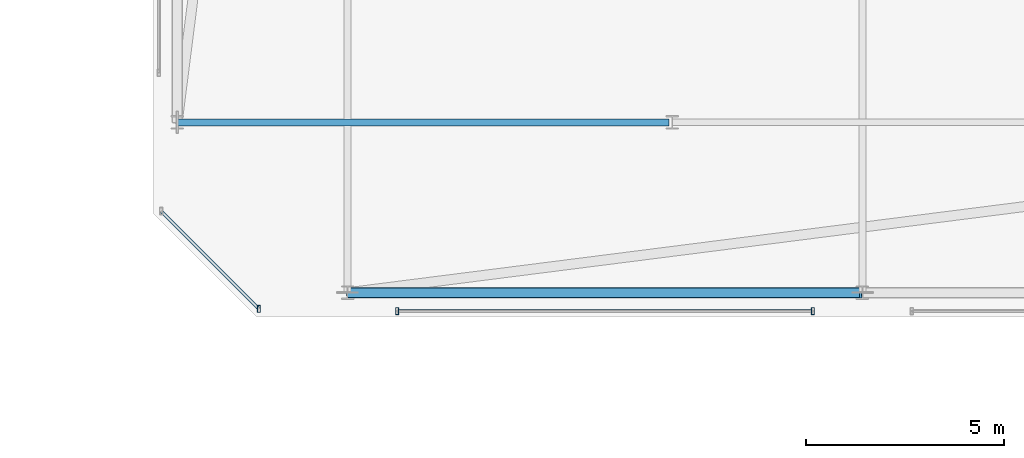
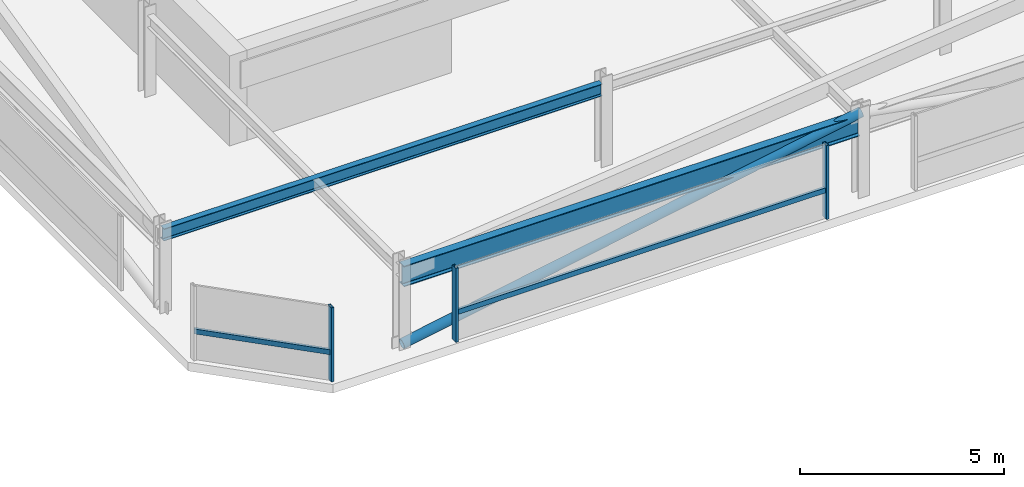
# One storey, part 27 of 42: 6 members, 2 beams, 2 elements without a shape of their own.
"""IFC4 building model written with IfcOpenShell, lengths in metres."""

from ifc_helpers import new_model, si_unit, direction, frame, origin, origin_2d, place, context, subcontext, project, spatial, hollow_rectangle, hollow_circle, i_section, extrude, material, material_profile, profile_set, type_object, element, aggregate, save


model = new_model("IFC4")

# Units and contexts
model_context = context("Model", 3, precision=1e-05, world=origin(), true_north=direction((0.0, 1.0)))
body_context = subcontext(model_context, "Body", "Model", "MODEL_VIEW")
ifc_project = project(units=[si_unit("LENGTHUNIT", "METRE"), si_unit("AREAUNIT", "SQUARE_METRE"), si_unit("VOLUMEUNIT", "CUBIC_METRE"), si_unit("PLANEANGLEUNIT", "RADIAN"), si_unit("MASSUNIT", "GRAM", prefix="KILO")], contexts=[model_context])

# Site, building, storey
site_placement = place(None, origin())
site = spatial("IfcSite", under=ifc_project, at=site_placement, CompositionType="ELEMENT")
building_placement = place(site_placement, origin())
building = spatial("IfcBuilding", under=site, at=building_placement, Name="Thornwick Lancets Civic Towers", CompositionType="ELEMENT")
storey_placement = place(building_placement, frame((0.0, 0.0, 289.5)))
storey = spatial("IfcBuildingStorey", under=building, at=storey_placement, Name="C04", CompositionType="ELEMENT", Elevation=289.5)

# Beams
ifc_material_1 = material(Name="Steel S355JR", Category="steel")
ifc_material_profile_1 = material_profile(ifc_material_1, i_section(OverallWidth=0.230224609375, OverallDepth=0.6171875, WebThickness=0.01318359375, FlangeThickness=0.022216796875, FilletRadius=0.0126953125, at=origin_2d()), Name="UKB 610x229x140")
ifc_profile_set_1 = profile_set([ifc_material_profile_1], Name="Steel S355JR")
beam_type_1 = type_object("IfcBeamType", Name="BM_GIRD_610_140", PredefinedType="BEAM", material=ifc_profile_set_1)
beam_1_placement = place(storey_placement, frame((88.419921875, 9.699951171875, 2.13134765625), z_axis=(-1.0, 0.0, 0.0), x_axis=(0.0, -1.0, 0.0)))
element("IfcBeam", 1, at=beam_1_placement, inside=storey, type_object=beam_type_1, Name="BM-SPINE-C04-B-10-11", PredefinedType="BEAM", context=body_context, shape_type="SweptSolid", body=[
    extrude(i_section(OverallWidth=0.230224609375, OverallDepth=0.6171875, WebThickness=0.01318359375, FlangeThickness=0.022216796875, FilletRadius=0.0126953125, at=origin_2d()), origin(), (0.0, 0.0, 1.0), 12.919921875),
])
ifc_material_profile_2 = material_profile(ifc_material_1, i_section(OverallWidth=0.173095703125, OverallDepth=0.36328125, WebThickness=0.009033203125, FlangeThickness=0.015625, FilletRadius=0.01025390625, at=origin_2d()), Name="UKB 356x171x67")
ifc_profile_set_2 = profile_set([ifc_material_profile_2], Name="Steel S355JR")
beam_type_2 = type_object("IfcBeamType", Name="BM_JOIST_356_67", PredefinedType="JOIST", material=ifc_profile_set_2)
beam_2_placement = place(storey_placement, frame((83.6201171875, 14.0, 2.25830078125), z_axis=(-1.0, 0.0, 0.0), x_axis=(0.0, -1.0, 0.0)))
element("IfcBeam", 2, at=beam_2_placement, inside=storey, type_object=beam_type_2, Name="BM-RADIN-C04-B07", PredefinedType="JOIST", context=body_context, shape_type="SweptSolid", body=[
    extrude(i_section(OverallWidth=0.173095703125, OverallDepth=0.36328125, WebThickness=0.009033203125, FlangeThickness=0.015625, FilletRadius=0.01025390625, at=origin_2d()), origin(), (0.0, 0.0, 1.0), 12.420166015625),
])

# Curtain wall, members
ifc_material_2 = material(Name="Crown ring acoustic-louvre and glazing screen wall", Category="glass")
curtain_wall_type = type_object("IfcCurtainWallType", Name="CW_SYS_07", PredefinedType="NOTDEFINED", material=ifc_material_2)
curtain_wall_1_placement = place(storey_placement, origin())
curtain_wall_1 = element("IfcCurtainWall", 3, at=curtain_wall_1_placement, inside=storey, type_object=curtain_wall_type, Name="C04 Curtain Wall CW-C04-B-E0-S1", PredefinedType="NOTDEFINED")
ifc_material_3 = material(Name="Thermally broken bronze aluminium S355", Category="steel")
ifc_material_profile_3 = material_profile(ifc_material_3, hollow_rectangle(XDim=0.074951171875, YDim=0.179931640625, WallThickness=0.006103515625, at=origin_2d()), Name="RHS 180x75x6")
ifc_profile_set_3 = profile_set([ifc_material_profile_3], Name="Thermally broken bronze aluminium S355")
member_type_1 = type_object("IfcMemberType", Name="CW_MUL_180", PredefinedType="MULLION", material=ifc_profile_set_3)
member_1_placement = place(storey_placement, frame((76.75, 9.2353515625, 0.0), z_axis=(0.0, 0.0, 1.0), x_axis=(1.0, 0.0, 0.0)))
member_1 = element("IfcMember", 4, at=member_1_placement, type_object=member_type_1, Name="CW-C04-B-E0-S1 Mullion 0", PredefinedType="MULLION", context=body_context, shape_type="SweptSolid", body=[
    extrude(hollow_rectangle(XDim=0.074951171875, YDim=0.179931640625, WallThickness=0.006103515625, at=origin_2d()), origin(), (0.0, 0.0, 1.0), 2.219970703125),
])
member_2_placement = place(storey_placement, frame((87.25, 9.2353515625, 0.0), z_axis=(0.0, 0.0, 1.0), x_axis=(1.0, 0.0, 0.0)))
member_2 = element("IfcMember", 5, at=member_2_placement, type_object=member_type_1, Name="CW-C04-B-E0-S1 Mullion 1", PredefinedType="MULLION", context=body_context, shape_type="SweptSolid", body=[
    extrude(hollow_rectangle(XDim=0.074951171875, YDim=0.179931640625, WallThickness=0.006103515625, at=origin_2d()), origin(), (0.0, 0.0, 1.0), 2.219970703125),
])

# Curtain wall, member
curtain_wall_2_placement = place(storey_placement, origin())
curtain_wall_2 = element("IfcCurtainWall", 6, at=curtain_wall_2_placement, inside=storey, type_object=curtain_wall_type, Name="C04 Curtain Wall CW-C04-B-E7", PredefinedType="NOTDEFINED")
member_3_placement = place(storey_placement, frame((73.261962890625, 9.2919921875, 0.0), z_axis=(0.0, 0.0, 1.0), x_axis=(1.0, 0.0, 0.0)))
member_3 = element("IfcMember", 7, at=member_3_placement, type_object=member_type_1, Name="CW-C04-B-E7 Mullion 1", PredefinedType="MULLION", context=body_context, shape_type="SweptSolid", body=[
    extrude(hollow_rectangle(XDim=0.074951171875, YDim=0.179931640625, WallThickness=0.006103515625, at=origin_2d()), origin(), (0.0, 0.0, 1.0), 2.219970703125),
])

# Member
ifc_material_profile_4 = material_profile(ifc_material_3, hollow_rectangle(XDim=0.074951171875, YDim=0.14990234375, WallThickness=0.0048828125, at=origin_2d()), Name="RHS 150x75x5")
ifc_profile_set_4 = profile_set([ifc_material_profile_4], Name="Thermally broken bronze aluminium S355")
member_type_2 = type_object("IfcMemberType", Name="CW_TRN_150", PredefinedType="USERDEFINED", material=ifc_profile_set_4)
member_4_placement = place(storey_placement, frame((76.77001953125, 9.2353515625, 0.85009765625), z_axis=(1.0, 0.0, 0.0), x_axis=(0.0, 1.0, 0.0)))
member_4 = element("IfcMember", 8, at=member_4_placement, type_object=member_type_2, Name="CW-C04-B-E0-S1 Transom 0", ObjectType="TRANSOM", PredefinedType="USERDEFINED", context=body_context, shape_type="SweptSolid", body=[
    extrude(hollow_rectangle(XDim=0.074951171875, YDim=0.14990234375, WallThickness=0.0048828125, at=origin_2d()), origin(), (0.0, 0.0, 1.0), 10.4599609375),
])

aggregate(curtain_wall_1, [member_1, member_2, member_4])

member_5_placement = place(storey_placement, frame((70.80615234375, 11.747802734375, 0.85009765625), z_axis=(0.707106781187, -0.707106781187, 0.0), x_axis=(0.707106781187, 0.707106781187, 0.0)))
member_5 = element("IfcMember", 9, at=member_5_placement, type_object=member_type_2, Name="CW-C04-B-E7 Transom 0", ObjectType="TRANSOM", PredefinedType="USERDEFINED", context=body_context, shape_type="SweptSolid", body=[
    extrude(hollow_rectangle(XDim=0.074951171875, YDim=0.14990234375, WallThickness=0.0048828125, at=origin_2d()), origin(), (0.0, 0.0, 1.0), 3.453125),
])

aggregate(curtain_wall_2, [member_3, member_5])

ifc_material_profile_5 = material_profile(ifc_material_1, hollow_circle(Radius=0.136474609375, WallThickness=0.012451171875, at=origin_2d()), Name="CHS 273x12.5")
ifc_profile_set_5 = profile_set([ifc_material_profile_5], Name="Steel S355JR")
member_type_3 = type_object("IfcMemberType", Name="MEM_CROWN_CHS273", PredefinedType="BRACE", material=ifc_profile_set_5)
member_6_placement = place(storey_placement, frame((75.5, 9.699951171875, 0.050048828125), z_axis=(0.98351842104, 0.0, 0.180807951915), x_axis=(0.0, 1.0, 0.0)))
element("IfcMember", 10, at=member_6_placement, inside=storey, type_object=member_type_3, Name="C04 Crown Ring Lancet Rib B-S3-R", PredefinedType="BRACE", context=body_context, shape_type="SweptSolid", body=[
    extrude(hollow_circle(Radius=0.136474609375, WallThickness=0.012451171875, at=origin_2d()), origin(), (0.0, 0.0, 1.0), 13.2177734375),
])

save(model, "model.ifc")
